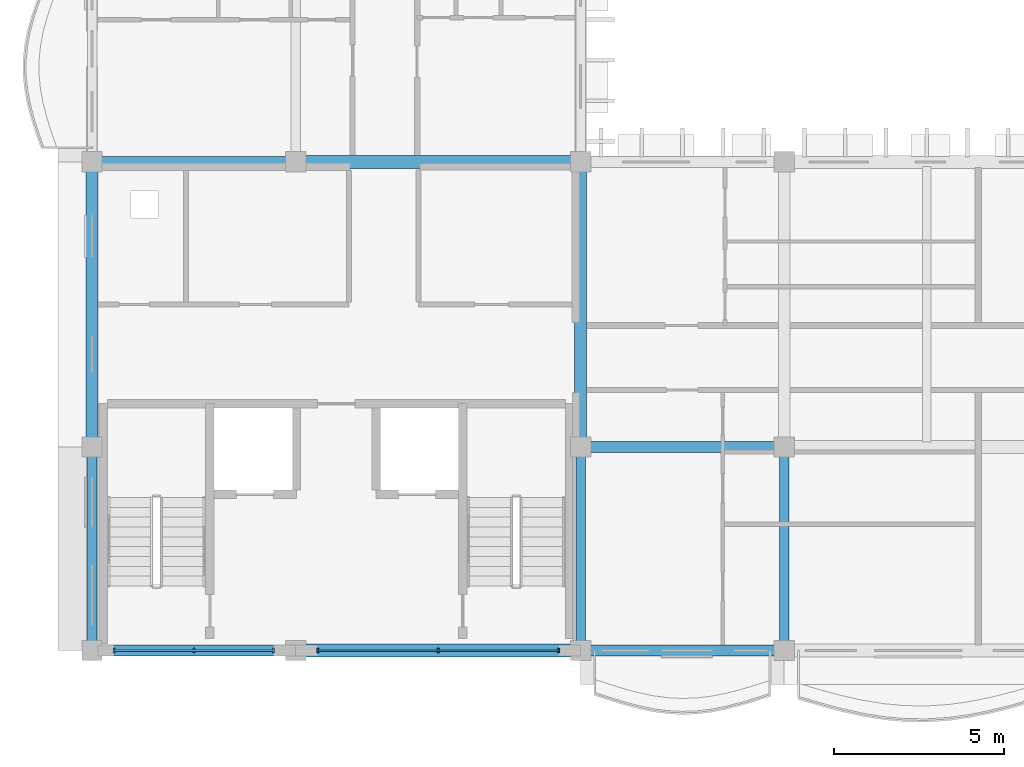
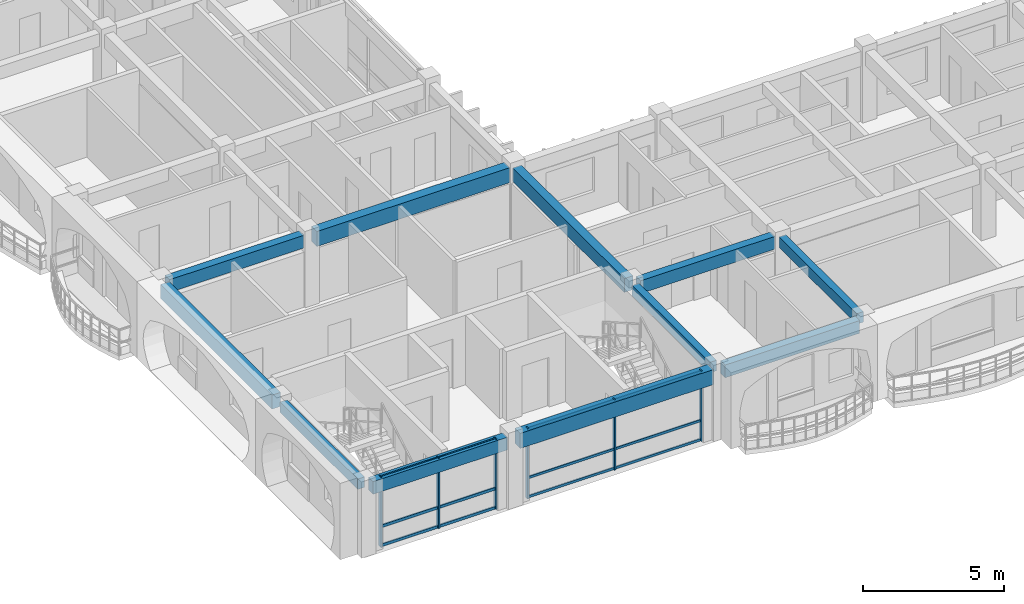
# One storey, part 3 of 79: 12 members, 11 beams, 2 elements without a shape of their own.
"""IFC4 building model written with IfcOpenShell, lengths in metres."""

from ifc_helpers import new_model, si_unit, direction, frame, origin, origin_2d, place, context, subcontext, project, spatial, rectangle, extrude, material, material_profile, profile_set, type_object, element, aggregate, save


model = new_model("IFC4")

# Units and contexts
model_context = context("Model", 3, precision=1e-05, world=origin(), true_north=direction((0.0, 1.0)))
body_context = subcontext(model_context, "Body", "Model", "MODEL_VIEW")
ifc_project = project(units=[si_unit("LENGTHUNIT", "METRE"), si_unit("AREAUNIT", "SQUARE_METRE"), si_unit("VOLUMEUNIT", "CUBIC_METRE"), si_unit("PLANEANGLEUNIT", "RADIAN"), si_unit("MASSUNIT", "GRAM", prefix="KILO"), si_unit("THERMODYNAMICTEMPERATUREUNIT", "KELVIN")], contexts=[model_context])

# Site, building, storey
site_placement = place(None, origin())
site = spatial("IfcSite", under=ifc_project, at=site_placement, CompositionType="ELEMENT")
building_placement = place(site_placement, origin())
building = spatial("IfcBuilding", under=site, at=building_placement, Name="Thalorik Housing Commons", CompositionType="ELEMENT")
storey_placement = place(building_placement, frame((0.0, 0.0, 11.39990234375)))
storey = spatial("IfcBuildingStorey", under=building, at=storey_placement, Name="L03", CompositionType="ELEMENT", Elevation=11.39990234375)

# Curtain wall, members
ifc_material_1 = material(Name="Anodised aluminium and solar-control low-E glass", Category="aluminium")
curtain_wall_type = type_object("IfcCurtainWallType", Name="ARC-CW-CORE", PredefinedType="USERDEFINED", material=ifc_material_1)
curtain_wall_1_placement = place(storey_placement, origin())
curtain_wall_1 = element("IfcCurtainWall", 1, at=curtain_wall_1_placement, inside=storey, type_object=curtain_wall_type, Name="L03 Curtain Wall CW-CORE-L03-C-141", ObjectType="CURTAIN WALL", PredefinedType="USERDEFINED")
ifc_material_2 = material(Name="Anodised aluminium 6063-T6", Category="aluminium")
ifc_material_profile_1 = material_profile(ifc_material_2, rectangle(XDim=0.054931640625, YDim=0.139892578125, at=origin_2d()), Name="ALU MUL 55x140", Category="aluminium")
ifc_profile_set_1 = profile_set([ifc_material_profile_1], Name="Anodised aluminium 6063-T6")
member_type_1 = type_object("IfcMemberType", Name="ARC-CW-MUL-55x140", PredefinedType="MULLION", material=ifc_profile_set_1)
member_1_placement = place(storey_placement, frame((15.050048828125, 8.39990234375, 0.0), z_axis=(0.0, 0.0, 1.0), x_axis=(1.0, 0.0, 0.0)))
member_1 = element("IfcMember", 2, at=member_1_placement, type_object=member_type_1, Name="CW-CORE-L03-C-141 Mullion 1", PredefinedType="MULLION", context=body_context, shape_type="SweptSolid", body=[
    extrude(rectangle(XDim=0.054931640625, YDim=0.139892578125, at=origin_2d()), origin(), (0.0, 0.0, 1.0), 3.0400390625),
])
member_2_placement = place(storey_placement, frame((18.60009765625, 8.39990234375, 0.0), z_axis=(0.0, 0.0, 1.0), x_axis=(1.0, 0.0, 0.0)))
member_2 = element("IfcMember", 3, at=member_2_placement, type_object=member_type_1, Name="CW-CORE-L03-C-141 Mullion 2", PredefinedType="MULLION", context=body_context, shape_type="SweptSolid", body=[
    extrude(rectangle(XDim=0.054931640625, YDim=0.139892578125, at=origin_2d()), origin(), (0.0, 0.0, 1.0), 3.0400390625),
])
member_3_placement = place(storey_placement, frame((22.14990234375, 8.39990234375, 0.0), z_axis=(0.0, 0.0, 1.0), x_axis=(1.0, 0.0, 0.0)))
member_3 = element("IfcMember", 4, at=member_3_placement, type_object=member_type_1, Name="CW-CORE-L03-C-141 Mullion 3", PredefinedType="MULLION", context=body_context, shape_type="SweptSolid", body=[
    extrude(rectangle(XDim=0.054931640625, YDim=0.139892578125, at=origin_2d()), origin(), (0.0, 0.0, 1.0), 3.0400390625),
])

curtain_wall_2_placement = place(storey_placement, origin())
curtain_wall_2 = element("IfcCurtainWall", 5, at=curtain_wall_2_placement, inside=storey, type_object=curtain_wall_type, Name="L03 Curtain Wall CW-CORE-L03-C-140", ObjectType="CURTAIN WALL", PredefinedType="USERDEFINED")
ifc_material_profile_2 = material_profile(ifc_material_2, rectangle(XDim=0.06005859375, YDim=0.159912109375, at=origin_2d()), Name="ALU MUL 60x160", Category="aluminium")
ifc_profile_set_2 = profile_set([ifc_material_profile_2], Name="Anodised aluminium 6063-T6")
member_type_2 = type_object("IfcMemberType", Name="ARC-CW-MUL-60x160", PredefinedType="MULLION", material=ifc_profile_set_2)
member_4_placement = place(storey_placement, frame((9.050048828125, 8.39990234375, 0.0), z_axis=(0.0, 0.0, 1.0), x_axis=(1.0, 0.0, 0.0)))
member_4 = element("IfcMember", 6, at=member_4_placement, type_object=member_type_2, Name="CW-CORE-L03-C-140 Mullion 1", PredefinedType="MULLION", context=body_context, shape_type="SweptSolid", body=[
    extrude(rectangle(XDim=0.06005859375, YDim=0.159912109375, at=origin_2d()), origin(), (0.0, 0.0, 1.0), 3.0400390625),
])
member_5_placement = place(storey_placement, frame((11.39990234375, 8.39990234375, 0.0), z_axis=(0.0, 0.0, 1.0), x_axis=(1.0, 0.0, 0.0)))
member_5 = element("IfcMember", 7, at=member_5_placement, type_object=member_type_2, Name="CW-CORE-L03-C-140 Mullion 2", PredefinedType="MULLION", context=body_context, shape_type="SweptSolid", body=[
    extrude(rectangle(XDim=0.06005859375, YDim=0.159912109375, at=origin_2d()), origin(), (0.0, 0.0, 1.0), 3.0400390625),
])
member_6_placement = place(storey_placement, frame((13.75, 8.39990234375, 0.0), z_axis=(0.0, 0.0, 1.0), x_axis=(1.0, 0.0, 0.0)))
member_6 = element("IfcMember", 8, at=member_6_placement, type_object=member_type_2, Name="CW-CORE-L03-C-140 Mullion 3", PredefinedType="MULLION", context=body_context, shape_type="SweptSolid", body=[
    extrude(rectangle(XDim=0.06005859375, YDim=0.159912109375, at=origin_2d()), origin(), (0.0, 0.0, 1.0), 3.0400390625),
])

# Member
ifc_material_profile_3 = material_profile(ifc_material_2, rectangle(XDim=0.054931640625, YDim=0.10498046875, at=origin_2d()), Name="ALU TRN 55x105", Category="aluminium")
ifc_profile_set_3 = profile_set([ifc_material_profile_3], Name="Anodised aluminium 6063-T6")
member_type_3 = type_object("IfcMemberType", Name="ARC-CW-TRN-55x105", PredefinedType="USERDEFINED", material=ifc_profile_set_3)
member_7_placement = place(storey_placement, frame((15.050048828125, 8.39990234375, 0.05517578125), z_axis=(1.0, 0.0, 0.0), x_axis=(0.0, 1.0, 0.0)))
member_7 = element("IfcMember", 9, at=member_7_placement, type_object=member_type_3, Name="CW-CORE-L03-C-141 Transom 1", ObjectType="TRANSOM", PredefinedType="USERDEFINED", context=body_context, shape_type="SweptSolid", body=[
    extrude(rectangle(XDim=0.054931640625, YDim=0.10498046875, at=origin_2d()), origin(), (0.0, 0.0, 1.0), 7.099853515625),
])

member_8_placement = place(storey_placement, frame((15.050048828125, 8.39990234375, 0.880126953125), z_axis=(1.0, 0.0, 0.0), x_axis=(0.0, 1.0, 0.0)))
member_8 = element("IfcMember", 10, at=member_8_placement, type_object=member_type_3, Name="CW-CORE-L03-C-141 Transom 2", ObjectType="TRANSOM", PredefinedType="USERDEFINED", context=body_context, shape_type="SweptSolid", body=[
    extrude(rectangle(XDim=0.054931640625, YDim=0.10498046875, at=origin_2d()), origin(), (0.0, 0.0, 1.0), 7.099853515625),
])

member_9_placement = place(storey_placement, frame((15.050048828125, 8.39990234375, 2.985107421875), z_axis=(1.0, 0.0, 0.0), x_axis=(0.0, 1.0, 0.0)))
member_9 = element("IfcMember", 11, at=member_9_placement, type_object=member_type_3, Name="CW-CORE-L03-C-141 Transom 3", ObjectType="TRANSOM", PredefinedType="USERDEFINED", context=body_context, shape_type="SweptSolid", body=[
    extrude(rectangle(XDim=0.054931640625, YDim=0.10498046875, at=origin_2d()), origin(), (0.0, 0.0, 1.0), 7.099853515625),
])

aggregate(curtain_wall_1, [member_1, member_2, member_3, member_7, member_8, member_9])

ifc_material_profile_4 = material_profile(ifc_material_2, rectangle(XDim=0.06005859375, YDim=0.1201171875, at=origin_2d()), Name="ALU TRN 60x120", Category="aluminium")
ifc_profile_set_4 = profile_set([ifc_material_profile_4], Name="Anodised aluminium 6063-T6")
member_type_4 = type_object("IfcMemberType", Name="ARC-CW-TRN-60x120", PredefinedType="USERDEFINED", material=ifc_profile_set_4)
member_10_placement = place(storey_placement, frame((9.050048828125, 8.39990234375, 0.05517578125), z_axis=(1.0, 0.0, 0.0), x_axis=(0.0, 1.0, 0.0)))
member_10 = element("IfcMember", 12, at=member_10_placement, type_object=member_type_4, Name="CW-CORE-L03-C-140 Transom 1", ObjectType="TRANSOM", PredefinedType="USERDEFINED", context=body_context, shape_type="SweptSolid", body=[
    extrude(rectangle(XDim=0.06005859375, YDim=0.1201171875, at=origin_2d()), origin(), (0.0, 0.0, 1.0), 4.699951171875),
])

member_11_placement = place(storey_placement, frame((9.050048828125, 8.39990234375, 0.880126953125), z_axis=(1.0, 0.0, 0.0), x_axis=(0.0, 1.0, 0.0)))
member_11 = element("IfcMember", 13, at=member_11_placement, type_object=member_type_4, Name="CW-CORE-L03-C-140 Transom 2", ObjectType="TRANSOM", PredefinedType="USERDEFINED", context=body_context, shape_type="SweptSolid", body=[
    extrude(rectangle(XDim=0.06005859375, YDim=0.1201171875, at=origin_2d()), origin(), (0.0, 0.0, 1.0), 4.699951171875),
])

member_12_placement = place(storey_placement, frame((9.050048828125, 8.39990234375, 2.985107421875), z_axis=(1.0, 0.0, 0.0), x_axis=(0.0, 1.0, 0.0)))
member_12 = element("IfcMember", 14, at=member_12_placement, type_object=member_type_4, Name="CW-CORE-L03-C-140 Transom 3", ObjectType="TRANSOM", PredefinedType="USERDEFINED", context=body_context, shape_type="SweptSolid", body=[
    extrude(rectangle(XDim=0.06005859375, YDim=0.1201171875, at=origin_2d()), origin(), (0.0, 0.0, 1.0), 4.699951171875),
])

aggregate(curtain_wall_2, [member_4, member_5, member_6, member_10, member_11, member_12])

# Beams
ifc_material_3 = material(Name="Precast concrete C40/50", Category="concrete")
ifc_material_profile_5 = material_profile(ifc_material_3, rectangle(XDim=0.280029296875, YDim=0.449951171875, at=origin_2d()), Name="PC 280x450", Category="concrete")
ifc_profile_set_5 = profile_set([ifc_material_profile_5], Name="Precast concrete C40/50")
beam_type_1 = type_object("IfcBeamType", Name="STR-BM-PC280x450", PredefinedType="BEAM", material=ifc_profile_set_5)
for number, where, z_axis, x_axis, name in (
    (15, (8.39990234375, 8.64990234375, 2.815185546875), (0.0, 1.0, 0.0), (-1.0, 0.0, 0.0), "L03 Beam B-450"),
    (16, (22.800048828125, 8.64990234375, 2.815185546875), (0.0, 1.0, 0.0), (-1.0, 0.0, 0.0), "L03 Beam B-450"),
    (17, (28.800048828125, 8.64990234375, 2.815185546875), (0.0, 1.0, 0.0), (-1.0, 0.0, 0.0), "L03 Beam B-450"),
):
    element("IfcBeam", number, at=place(storey_placement, frame(where, z_axis=z_axis, x_axis=x_axis)), inside=storey, type_object=beam_type_1, Name=name, PredefinedType="BEAM", context=body_context, shape_type="SweptSolid", body=[
        extrude(rectangle(XDim=0.280029296875, YDim=0.449951171875, at=origin_2d()), origin(), (0.0, 0.0, 1.0), 5.5),
    ])
ifc_material_profile_6 = material_profile(ifc_material_3, rectangle(XDim=0.320068359375, YDim=0.550048828125, at=origin_2d()), Name="PC 320x550", Category="concrete")
ifc_profile_set_6 = profile_set([ifc_material_profile_6], Name="Precast concrete C40/50")
beam_type_2 = type_object("IfcBeamType", Name="STR-BM-PC320x550", PredefinedType="BEAM", material=ifc_profile_set_6)
for number, where, z_axis, x_axis, name in (
    (18, (8.64990234375, 8.39990234375, 2.76513671875), (1.0, 0.0, 0.0), (0.0, 1.0, 0.0), "L03 Beam B-550"),
    (19, (23.050048828125, 8.39990234375, 2.76513671875), (1.0, 0.0, 0.0), (0.0, 1.0, 0.0), "L03 Beam B-550"),
    (20, (23.050048828125, 14.39990234375, 2.76513671875), (1.0, 0.0, 0.0), (0.0, 1.0, 0.0), "L03 Beam B-550"),
    (21, (8.64990234375, 22.800048828125, 2.76513671875), (1.0, 0.0, 0.0), (0.0, 1.0, 0.0), "L03 Beam B-550"),
):
    element("IfcBeam", number, at=place(storey_placement, frame(where, z_axis=z_axis, x_axis=x_axis)), inside=storey, type_object=beam_type_2, Name=name, PredefinedType="BEAM", context=body_context, shape_type="SweptSolid", body=[
        extrude(rectangle(XDim=0.320068359375, YDim=0.550048828125, at=origin_2d()), origin(), (0.0, 0.0, 1.0), 5.5),
    ])
ifc_material_profile_7 = material_profile(ifc_material_3, rectangle(XDim=0.35009765625, YDim=0.60009765625, at=origin_2d()), Name="PC 350x600", Category="concrete")
ifc_profile_set_7 = profile_set([ifc_material_profile_7], Name="Precast concrete C40/50")
beam_type_3 = type_object("IfcBeamType", Name="STR-BM-PC350x600", PredefinedType="BEAM", material=ifc_profile_set_7)
for number, where, z_axis, x_axis, name in (
    (22, (8.39990234375, 14.64990234375, 2.739990234375), (0.0, 1.0, 0.0), (-1.0, 0.0, 0.0), "L03 Beam B-600"),
    (23, (22.800048828125, 14.64990234375, 2.739990234375), (0.0, 1.0, 0.0), (-1.0, 0.0, 0.0), "L03 Beam B-600"),
):
    element("IfcBeam", number, at=place(storey_placement, frame(where, z_axis=z_axis, x_axis=x_axis)), inside=storey, type_object=beam_type_3, Name=name, PredefinedType="BEAM", context=body_context, shape_type="SweptSolid", body=[
        extrude(rectangle(XDim=0.35009765625, YDim=0.60009765625, at=origin_2d()), origin(), (0.0, 0.0, 1.0), 7.900146484375),
    ])
ifc_material_profile_8 = material_profile(ifc_material_3, rectangle(XDim=0.3798828125, YDim=0.64990234375, at=origin_2d()), Name="PC 380x650", Category="concrete")
ifc_profile_set_8 = profile_set([ifc_material_profile_8], Name="Precast concrete C40/50")
beam_type_4 = type_object("IfcBeamType", Name="STR-BM-PC380x650", PredefinedType="BEAM", material=ifc_profile_set_8)
for number, where, z_axis, x_axis, name in (
    (24, (14.64990234375, 8.39990234375, 2.715087890625), (1.0, 0.0, 0.0), (0.0, 1.0, 0.0), "L03 Beam B-650"),
    (25, (14.64990234375, 22.800048828125, 2.715087890625), (1.0, 0.0, 0.0), (0.0, 1.0, 0.0), "L03 Beam B-650"),
):
    element("IfcBeam", number, at=place(storey_placement, frame(where, z_axis=z_axis, x_axis=x_axis)), inside=storey, type_object=beam_type_4, Name=name, PredefinedType="BEAM", context=body_context, shape_type="SweptSolid", body=[
        extrude(rectangle(XDim=0.3798828125, YDim=0.64990234375, at=origin_2d()), origin(), (0.0, 0.0, 1.0), 7.900146484375),
    ])

save(model, "model.ifc")
